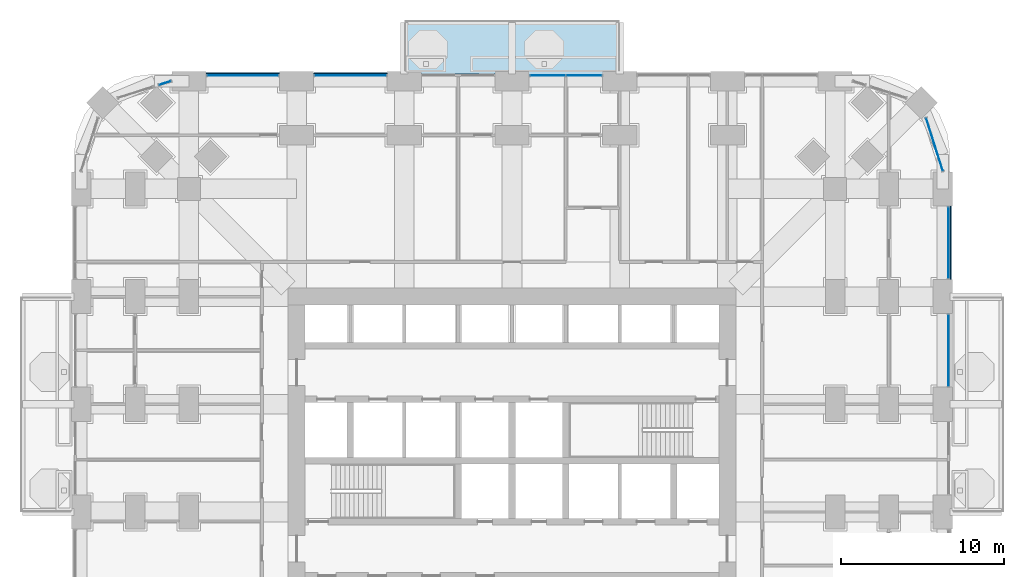
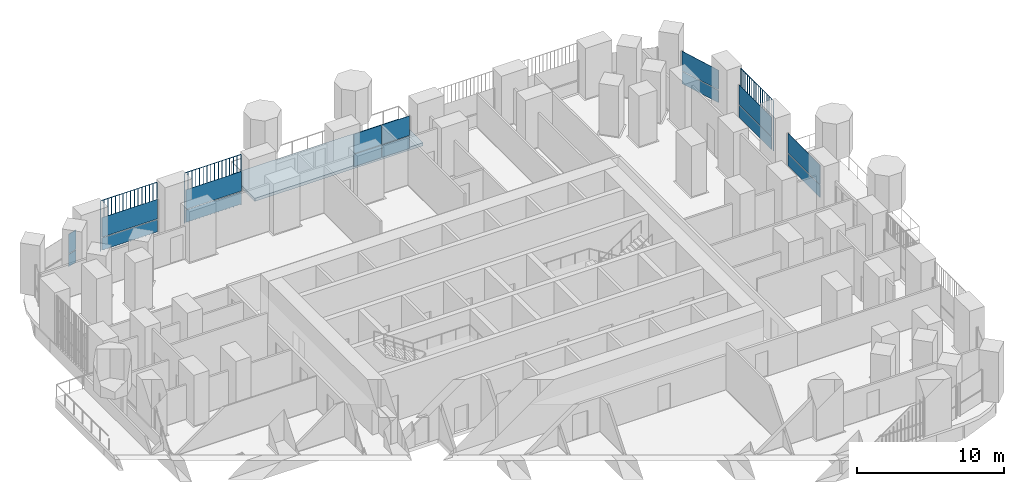
# One storey, part 15 of 26: 19 plates, 1 slab, 7 elements without a shape of their own.
"""IFC4 building model written with IfcOpenShell, lengths in metres."""

from ifc_helpers import new_model, si_unit, direction, frame, origin, origin_2d, place, context, subcontext, project, spatial, polyline, rectangle, outline, extrude, material, layer, layer_set, type_object, element, aggregate, save


model = new_model("IFC4")

# Units and contexts
model_context = context("Model", 3, precision=1e-05, world=origin(), true_north=direction((0.0, 1.0)))
body_context = subcontext(model_context, "Body", "Model", "MODEL_VIEW")
ifc_project = project(units=[si_unit("LENGTHUNIT", "METRE"), si_unit("AREAUNIT", "SQUARE_METRE"), si_unit("VOLUMEUNIT", "CUBIC_METRE"), si_unit("PLANEANGLEUNIT", "RADIAN"), si_unit("MASSUNIT", "GRAM", prefix="KILO")], contexts=[model_context])

# Site, building, storey
site_placement = place(None, origin())
site = spatial("IfcSite", under=ifc_project, at=site_placement, CompositionType="ELEMENT")
building_placement = place(site_placement, origin())
building = spatial("IfcBuilding", under=site, at=building_placement, Name="Cobogo Forest Laboratory Tower", CompositionType="ELEMENT")
storey_placement = place(building_placement, frame((0.0, 0.0, 33.89990234375)))
storey = spatial("IfcBuildingStorey", under=building, at=storey_placement, Name="L07", CompositionType="ELEMENT", Elevation=33.89990234375)

# Slab
ifc_material_1 = material(Name="Concrete HA-40 (C40/50)", Category="concrete")
ifc_layer_1 = layer(ifc_material_1, 0.25)
ifc_layer_set_1 = layer_set([ifc_layer_1], Name="Balcony slab 250")
slab_type = type_object("IfcSlabType", Name="Balcony slab 250", PredefinedType="FLOOR", material=ifc_layer_set_1)
slab_placement = place(storey_placement, frame((0.0, 0.0, -0.25)))
element("IfcSlab", 1, at=slab_placement, inside=storey, type_object=slab_type, Name="Balcony BAL-N1 L07", PredefinedType="FLOOR", context=body_context, shape_type="SweptSolid", body=[
    extrude(outline(polyline([(19.800048828125, 46.64990234375), (33.0, 46.64990234375), (33.0, 49.949951171875), (19.800048828125, 49.949951171875), (19.800048828125, 46.64990234375)])), origin(), (0.0, 0.0, 1.0), 0.25),
])

# Curtain wall, plates
ifc_material_2 = material(Name="Aluminium curtain wall", Category="aluminium")
curtain_wall_type = type_object("IfcCurtainWallType", Name="CW-1 unitised curtain wall, clear glazing, laboratory floors zones A and B", PredefinedType="USERDEFINED", material=ifc_material_2)
curtain_wall_1_placement = place(storey_placement, origin())
curtain_wall_1 = element("IfcCurtainWall", 2, at=curtain_wall_1_placement, inside=storey, type_object=curtain_wall_type, Name="Curtain wall 13 L07", ObjectType="UNITISED CURTAIN WALL", PredefinedType="USERDEFINED")
ifc_material_3 = material(Name="Clear insulated glass", Category="glass")
ifc_layer_2 = layer(ifc_material_3, 0.028076171875)
ifc_layer_set_2 = layer_set([ifc_layer_2], Name="GP-1 clear insulated glass unit 28")
plate_type_1 = type_object("IfcPlateType", Name="GP-1 clear insulated glass unit 28", PredefinedType="CURTAIN_PANEL", material=ifc_layer_set_2)
plate_1_placement = place(storey_placement, frame((53.14990234375, 29.699951171875, 0.0), z_axis=(0.0, 0.0, 1.0), x_axis=(0.0, 1.0, 0.0)))
plate_1 = element("IfcPlate", 3, at=plate_1_placement, type_object=plate_type_1, Name="CW-1 panel 1.1", PredefinedType="CURTAIN_PANEL", context=body_context, shape_type="SweptSolid", body=[
    extrude(rectangle(XDim=4.3798828125, YDim=0.028076171875, at=origin_2d()), origin(), (0.0, 0.0, 1.0), 1.02001953125),
])
plate_2_placement = place(storey_placement, frame((53.14990234375, 29.699951171875, 1.080078125), z_axis=(0.0, 0.0, 1.0), x_axis=(0.0, 1.0, 0.0)))
plate_2 = element("IfcPlate", 4, at=plate_2_placement, type_object=plate_type_1, Name="CW-1 panel 1.2", PredefinedType="CURTAIN_PANEL", context=body_context, shape_type="SweptSolid", body=[
    extrude(rectangle(XDim=4.3798828125, YDim=0.028076171875, at=origin_2d()), origin(), (0.0, 0.0, 1.0), 1.6201171875),
])
aggregate(curtain_wall_1, [plate_1, plate_2])

curtain_wall_2_placement = place(storey_placement, origin())
curtain_wall_2 = element("IfcCurtainWall", 5, at=curtain_wall_2_placement, inside=storey, type_object=curtain_wall_type, Name="Curtain wall 14 L07", ObjectType="UNITISED CURTAIN WALL", PredefinedType="USERDEFINED")
plate_3_placement = place(storey_placement, frame((53.14990234375, 36.300048828125, 0.0), z_axis=(0.0, 0.0, 1.0), x_axis=(0.0, 1.0, 0.0)))
plate_3 = element("IfcPlate", 6, at=plate_3_placement, type_object=plate_type_1, Name="CW-1 panel 1.1", PredefinedType="CURTAIN_PANEL", context=body_context, shape_type="SweptSolid", body=[
    extrude(rectangle(XDim=4.3798828125, YDim=0.028076171875, at=origin_2d()), origin(), (0.0, 0.0, 1.0), 1.02001953125),
])
plate_4_placement = place(storey_placement, frame((53.14990234375, 36.300048828125, 1.080078125), z_axis=(0.0, 0.0, 1.0), x_axis=(0.0, 1.0, 0.0)))
plate_4 = element("IfcPlate", 7, at=plate_4_placement, type_object=plate_type_1, Name="CW-1 panel 1.2", PredefinedType="CURTAIN_PANEL", context=body_context, shape_type="SweptSolid", body=[
    extrude(rectangle(XDim=4.3798828125, YDim=0.028076171875, at=origin_2d()), origin(), (0.0, 0.0, 1.0), 1.6201171875),
])
aggregate(curtain_wall_2, [plate_3, plate_4])

curtain_wall_3_placement = place(storey_placement, origin())
curtain_wall_3 = element("IfcCurtainWall", 8, at=curtain_wall_3_placement, inside=storey, type_object=curtain_wall_type, Name="Curtain wall 15 L07", ObjectType="UNITISED CURTAIN WALL", PredefinedType="USERDEFINED")
plate_5_placement = place(storey_placement, frame((52.291015625, 42.320068359375, 0.0), z_axis=(0.0, 0.0, 1.0), x_axis=(-0.30113535792, 0.95358140513, 0.0)))
plate_5 = element("IfcPlate", 9, at=plate_5_placement, type_object=plate_type_1, Name="CW-1 panel 1.1", PredefinedType="CURTAIN_PANEL", context=body_context, shape_type="SweptSolid", body=[
    extrude(rectangle(XDim=3.382568359375, YDim=0.028076171875, at=origin_2d()), origin(), (0.0, 0.0, 1.0), 1.02001953125),
])
plate_6_placement = place(storey_placement, frame((52.291015625, 42.320068359375, 1.080078125), z_axis=(0.0, 0.0, 1.0), x_axis=(-0.30113535792, 0.95358140513, 0.0)))
plate_6 = element("IfcPlate", 10, at=plate_6_placement, type_object=plate_type_1, Name="CW-1 panel 1.2", PredefinedType="CURTAIN_PANEL", context=body_context, shape_type="SweptSolid", body=[
    extrude(rectangle(XDim=3.382568359375, YDim=0.028076171875, at=origin_2d()), origin(), (0.0, 0.0, 1.0), 1.6201171875),
])
aggregate(curtain_wall_3, [plate_5, plate_6])

curtain_wall_4_placement = place(storey_placement, origin())
curtain_wall_4 = element("IfcCurtainWall", 11, at=curtain_wall_4_placement, inside=storey, type_object=curtain_wall_type, Name="Curtain wall 20 L07", ObjectType="UNITISED CURTAIN WALL", PredefinedType="USERDEFINED")
plate_7_placement = place(storey_placement, frame((30.81005859375, 46.550048828125, 0.0), z_axis=(0.0, 0.0, 1.0), x_axis=(-1.0, 0.0, 0.0)))
plate_7 = element("IfcPlate", 12, at=plate_7_placement, type_object=plate_type_1, Name="CW-1 panel 1.1", PredefinedType="CURTAIN_PANEL", context=body_context, shape_type="SweptSolid", body=[
    extrude(rectangle(XDim=2.159912109375, YDim=0.028076171875, at=origin_2d()), origin(), (0.0, 0.0, 1.0), 1.02001953125),
])
plate_8_placement = place(storey_placement, frame((30.81005859375, 46.550048828125, 1.080078125), z_axis=(0.0, 0.0, 1.0), x_axis=(-1.0, 0.0, 0.0)))
plate_8 = element("IfcPlate", 13, at=plate_8_placement, type_object=plate_type_1, Name="CW-1 panel 1.2", PredefinedType="CURTAIN_PANEL", context=body_context, shape_type="SweptSolid", body=[
    extrude(rectangle(XDim=2.159912109375, YDim=0.028076171875, at=origin_2d()), origin(), (0.0, 0.0, 1.0), 1.6201171875),
])
plate_9_placement = place(storey_placement, frame((28.590087890625, 46.550048828125, 0.0), z_axis=(0.0, 0.0, 1.0), x_axis=(-1.0, 0.0, 0.0)))
plate_9 = element("IfcPlate", 14, at=plate_9_placement, type_object=plate_type_1, Name="CW-1 panel 2.1", PredefinedType="CURTAIN_PANEL", context=body_context, shape_type="SweptSolid", body=[
    extrude(rectangle(XDim=2.159912109375, YDim=0.028076171875, at=origin_2d()), origin(), (0.0, 0.0, 1.0), 1.02001953125),
])
plate_10_placement = place(storey_placement, frame((28.590087890625, 46.550048828125, 1.080078125), z_axis=(0.0, 0.0, 1.0), x_axis=(-1.0, 0.0, 0.0)))
plate_10 = element("IfcPlate", 15, at=plate_10_placement, type_object=plate_type_1, Name="CW-1 panel 2.2", PredefinedType="CURTAIN_PANEL", context=body_context, shape_type="SweptSolid", body=[
    extrude(rectangle(XDim=2.159912109375, YDim=0.028076171875, at=origin_2d()), origin(), (0.0, 0.0, 1.0), 1.6201171875),
])
aggregate(curtain_wall_4, [plate_7, plate_8, plate_9, plate_10])

curtain_wall_5_placement = place(storey_placement, origin())
curtain_wall_5 = element("IfcCurtainWall", 16, at=curtain_wall_5_placement, inside=storey, type_object=curtain_wall_type, Name="Curtain wall 22 L07", ObjectType="UNITISED CURTAIN WALL", PredefinedType="USERDEFINED")
plate_11_placement = place(storey_placement, frame((16.5, 46.550048828125, 0.0), z_axis=(0.0, 0.0, 1.0), x_axis=(-1.0, 0.0, 0.0)))
plate_11 = element("IfcPlate", 17, at=plate_11_placement, type_object=plate_type_1, Name="CW-1 panel 1.1", PredefinedType="CURTAIN_PANEL", context=body_context, shape_type="SweptSolid", body=[
    extrude(rectangle(XDim=4.3798828125, YDim=0.028076171875, at=origin_2d()), origin(), (0.0, 0.0, 1.0), 1.02001953125),
])
plate_12_placement = place(storey_placement, frame((16.5, 46.550048828125, 1.080078125), z_axis=(0.0, 0.0, 1.0), x_axis=(-1.0, 0.0, 0.0)))
plate_12 = element("IfcPlate", 18, at=plate_12_placement, type_object=plate_type_1, Name="CW-1 panel 1.2", PredefinedType="CURTAIN_PANEL", context=body_context, shape_type="SweptSolid", body=[
    extrude(rectangle(XDim=4.3798828125, YDim=0.028076171875, at=origin_2d()), origin(), (0.0, 0.0, 1.0), 1.6201171875),
])
aggregate(curtain_wall_5, [plate_11, plate_12])

curtain_wall_6_placement = place(storey_placement, origin())
curtain_wall_6 = element("IfcCurtainWall", 19, at=curtain_wall_6_placement, inside=storey, type_object=curtain_wall_type, Name="Curtain wall 23 L07", ObjectType="UNITISED CURTAIN WALL", PredefinedType="USERDEFINED")
plate_13_placement = place(storey_placement, frame((9.89990234375, 46.550048828125, 0.0), z_axis=(0.0, 0.0, 1.0), x_axis=(-1.0, 0.0, 0.0)))
plate_13 = element("IfcPlate", 20, at=plate_13_placement, type_object=plate_type_1, Name="CW-1 panel 1.1", PredefinedType="CURTAIN_PANEL", context=body_context, shape_type="SweptSolid", body=[
    extrude(rectangle(XDim=4.3798828125, YDim=0.028076171875, at=origin_2d()), origin(), (0.0, 0.0, 1.0), 1.02001953125),
])
plate_14_placement = place(storey_placement, frame((9.89990234375, 46.550048828125, 1.080078125), z_axis=(0.0, 0.0, 1.0), x_axis=(-1.0, 0.0, 0.0)))
plate_14 = element("IfcPlate", 21, at=plate_14_placement, type_object=plate_type_1, Name="CW-1 panel 1.2", PredefinedType="CURTAIN_PANEL", context=body_context, shape_type="SweptSolid", body=[
    extrude(rectangle(XDim=4.3798828125, YDim=0.028076171875, at=origin_2d()), origin(), (0.0, 0.0, 1.0), 1.6201171875),
])
aggregate(curtain_wall_6, [plate_13, plate_14])

curtain_wall_7_placement = place(storey_placement, origin())
curtain_wall_7 = element("IfcCurtainWall", 22, at=curtain_wall_7_placement, inside=storey, type_object=curtain_wall_type, Name="Curtain wall 24 L07", ObjectType="UNITISED CURTAIN WALL", PredefinedType="USERDEFINED")
plate_15_placement = place(storey_placement, frame((5.134033203125, 46.087158203125, 0.0), z_axis=(0.0, 0.0, 1.0), x_axis=(-0.953581504428, -0.301135043481, 0.0)))
plate_15 = element("IfcPlate", 23, at=plate_15_placement, type_object=plate_type_1, Name="CW-1 panel 1.1", PredefinedType="CURTAIN_PANEL", context=body_context, shape_type="SweptSolid", body=[
    extrude(rectangle(XDim=0.75244140625, YDim=0.028076171875, at=origin_2d()), origin(), (0.0, 0.0, 1.0), 1.02001953125),
])
plate_16_placement = place(storey_placement, frame((5.134033203125, 46.087158203125, 1.080078125), z_axis=(0.0, 0.0, 1.0), x_axis=(-0.953581504428, -0.301135043481, 0.0)))
plate_16 = element("IfcPlate", 24, at=plate_16_placement, type_object=plate_type_1, Name="CW-1 panel 1.2", PredefinedType="CURTAIN_PANEL", context=body_context, shape_type="SweptSolid", body=[
    extrude(rectangle(XDim=0.75244140625, YDim=0.028076171875, at=origin_2d()), origin(), (0.0, 0.0, 1.0), 1.6201171875),
])
aggregate(curtain_wall_7, [plate_15, plate_16])

# Plates
ifc_material_4 = material(Name="Terracotta", Category="masonry")
plate_type_2 = type_object("IfcPlateType", Name="TB1 terracotta baguette screen", PredefinedType="USERDEFINED", material=ifc_material_4)
plate_17_placement = place(storey_placement, frame((53.27783203125, 34.081298828125, -0.14990234375)))
element("IfcPlate", 25, at=plate_17_placement, inside=storey, type_object=plate_type_2, Name="Baguette screen E5 L07", ObjectType="BAGUETTE SCREEN", PredefinedType="USERDEFINED", context=body_context, shape_type="SweptSolid", body=[
    extrude(outline(polyline([(0.02880859375, 0.011962890625), (0.011962890625, 0.02880859375), (-0.011962890625, 0.02880859375), (-0.02880859375, 0.011962890625), (-0.02880859375, -0.011962890625), (-0.011962890625, -0.02880859375), (0.011962890625, -0.02880859375), (0.02880859375, -0.011962890625), (0.02880859375, 0.011962890625)])), frame((0.0, 0.0, 4.168701171875), z_axis=(0.0, 1.0, 0.0), x_axis=(-1.0, 0.0, 0.0)), (0.0, 0.0, 1.0), 4.4375),
    extrude(outline(polyline([(0.02880859375, 0.011962890625), (0.011962890625, 0.02880859375), (-0.011962890625, 0.02880859375), (-0.02880859375, 0.011962890625), (-0.02880859375, -0.011962890625), (-0.011962890625, -0.02880859375), (0.011962890625, -0.02880859375), (0.02880859375, -0.011962890625), (0.02880859375, 0.011962890625)])), origin(), (0.0, 0.0, 1.0), 4.137451171875),
    extrude(outline(polyline([(0.02880859375, 0.011962890625), (0.011962890625, 0.02880859375), (-0.011962890625, 0.02880859375), (-0.02880859375, 0.011962890625), (-0.02880859375, -0.011962890625), (-0.011962890625, -0.02880859375), (0.011962890625, -0.02880859375), (0.02880859375, -0.011962890625), (0.02880859375, 0.011962890625)])), frame((0.0, 0.2958984375, 0.0)), (0.0, 0.0, 1.0), 4.137451171875),
    extrude(outline(polyline([(0.02880859375, 0.011962890625), (0.011962890625, 0.02880859375), (-0.011962890625, 0.02880859375), (-0.02880859375, 0.011962890625), (-0.02880859375, -0.011962890625), (-0.011962890625, -0.02880859375), (0.011962890625, -0.02880859375), (0.02880859375, -0.011962890625), (0.02880859375, 0.011962890625)])), frame((0.0, 0.591552734375, 0.0)), (0.0, 0.0, 1.0), 4.137451171875),
    extrude(outline(polyline([(0.02880859375, 0.011962890625), (0.011962890625, 0.02880859375), (-0.011962890625, 0.02880859375), (-0.02880859375, 0.011962890625), (-0.02880859375, -0.011962890625), (-0.011962890625, -0.02880859375), (0.011962890625, -0.02880859375), (0.02880859375, -0.011962890625), (0.02880859375, 0.011962890625)])), frame((0.0, 0.887451171875, 0.0)), (0.0, 0.0, 1.0), 4.137451171875),
    extrude(outline(polyline([(0.02880859375, 0.011962890625), (0.011962890625, 0.02880859375), (-0.011962890625, 0.02880859375), (-0.02880859375, 0.011962890625), (-0.02880859375, -0.011962890625), (-0.011962890625, -0.02880859375), (0.011962890625, -0.02880859375), (0.02880859375, -0.011962890625), (0.02880859375, 0.011962890625)])), frame((0.0, 1.183349609375, 0.0)), (0.0, 0.0, 1.0), 4.137451171875),
    extrude(outline(polyline([(0.02880859375, 0.011962890625), (0.011962890625, 0.02880859375), (-0.011962890625, 0.02880859375), (-0.02880859375, 0.011962890625), (-0.02880859375, -0.011962890625), (-0.011962890625, -0.02880859375), (0.011962890625, -0.02880859375), (0.02880859375, -0.011962890625), (0.02880859375, 0.011962890625)])), frame((0.0, 1.479248046875, 0.0)), (0.0, 0.0, 1.0), 4.137451171875),
    extrude(outline(polyline([(0.02880859375, 0.011962890625), (0.011962890625, 0.02880859375), (-0.011962890625, 0.02880859375), (-0.02880859375, 0.011962890625), (-0.02880859375, -0.011962890625), (-0.011962890625, -0.02880859375), (0.011962890625, -0.02880859375), (0.02880859375, -0.011962890625), (0.02880859375, 0.011962890625)])), frame((0.0, 1.77490234375, 0.0)), (0.0, 0.0, 1.0), 4.137451171875),
    extrude(outline(polyline([(0.02880859375, 0.011962890625), (0.011962890625, 0.02880859375), (-0.011962890625, 0.02880859375), (-0.02880859375, 0.011962890625), (-0.02880859375, -0.011962890625), (-0.011962890625, -0.02880859375), (0.011962890625, -0.02880859375), (0.02880859375, -0.011962890625), (0.02880859375, 0.011962890625)])), frame((0.0, 2.07080078125, 0.0)), (0.0, 0.0, 1.0), 4.137451171875),
    extrude(outline(polyline([(0.02880859375, 0.011962890625), (0.011962890625, 0.02880859375), (-0.011962890625, 0.02880859375), (-0.02880859375, 0.011962890625), (-0.02880859375, -0.011962890625), (-0.011962890625, -0.02880859375), (0.011962890625, -0.02880859375), (0.02880859375, -0.011962890625), (0.02880859375, 0.011962890625)])), frame((0.0, 2.36669921875, 0.0)), (0.0, 0.0, 1.0), 4.137451171875),
    extrude(outline(polyline([(0.02880859375, 0.011962890625), (0.011962890625, 0.02880859375), (-0.011962890625, 0.02880859375), (-0.02880859375, 0.011962890625), (-0.02880859375, -0.011962890625), (-0.011962890625, -0.02880859375), (0.011962890625, -0.02880859375), (0.02880859375, -0.011962890625), (0.02880859375, 0.011962890625)])), frame((0.0, 2.66259765625, 0.0)), (0.0, 0.0, 1.0), 4.137451171875),
    extrude(outline(polyline([(0.02880859375, 0.011962890625), (0.011962890625, 0.02880859375), (-0.011962890625, 0.02880859375), (-0.02880859375, 0.011962890625), (-0.02880859375, -0.011962890625), (-0.011962890625, -0.02880859375), (0.011962890625, -0.02880859375), (0.02880859375, -0.011962890625), (0.02880859375, 0.011962890625)])), frame((0.0, 2.958251953125, 0.0)), (0.0, 0.0, 1.0), 4.137451171875),
    extrude(outline(polyline([(0.02880859375, 0.011962890625), (0.011962890625, 0.02880859375), (-0.011962890625, 0.02880859375), (-0.02880859375, 0.011962890625), (-0.02880859375, -0.011962890625), (-0.011962890625, -0.02880859375), (0.011962890625, -0.02880859375), (0.02880859375, -0.011962890625), (0.02880859375, 0.011962890625)])), frame((0.0, 3.254150390625, 0.0)), (0.0, 0.0, 1.0), 4.137451171875),
    extrude(outline(polyline([(0.02880859375, 0.011962890625), (0.011962890625, 0.02880859375), (-0.011962890625, 0.02880859375), (-0.02880859375, 0.011962890625), (-0.02880859375, -0.011962890625), (-0.011962890625, -0.02880859375), (0.011962890625, -0.02880859375), (0.02880859375, -0.011962890625), (0.02880859375, 0.011962890625)])), frame((0.0, 3.550048828125, 0.0)), (0.0, 0.0, 1.0), 4.137451171875),
    extrude(outline(polyline([(0.02880859375, 0.011962890625), (0.011962890625, 0.02880859375), (-0.011962890625, 0.02880859375), (-0.02880859375, 0.011962890625), (-0.02880859375, -0.011962890625), (-0.011962890625, -0.02880859375), (0.011962890625, -0.02880859375), (0.02880859375, -0.011962890625), (0.02880859375, 0.011962890625)])), frame((0.0, 3.845947265625, 0.0)), (0.0, 0.0, 1.0), 4.137451171875),
    extrude(outline(polyline([(0.02880859375, 0.011962890625), (0.011962890625, 0.02880859375), (-0.011962890625, 0.02880859375), (-0.02880859375, 0.011962890625), (-0.02880859375, -0.011962890625), (-0.011962890625, -0.02880859375), (0.011962890625, -0.02880859375), (0.02880859375, -0.011962890625), (0.02880859375, 0.011962890625)])), frame((0.0, 4.1416015625, 0.0)), (0.0, 0.0, 1.0), 4.137451171875),
    extrude(outline(polyline([(0.02880859375, 0.011962890625), (0.011962890625, 0.02880859375), (-0.011962890625, 0.02880859375), (-0.02880859375, 0.011962890625), (-0.02880859375, -0.011962890625), (-0.011962890625, -0.02880859375), (0.011962890625, -0.02880859375), (0.02880859375, -0.011962890625), (0.02880859375, 0.011962890625)])), frame((0.0, 4.4375, 0.0)), (0.0, 0.0, 1.0), 4.137451171875),
])
plate_18_placement = place(storey_placement, frame((7.68115234375, 46.677978515625, -0.14990234375)))
element("IfcPlate", 26, at=plate_18_placement, inside=storey, type_object=plate_type_2, Name="Baguette screen N1 L07", ObjectType="BAGUETTE SCREEN", PredefinedType="USERDEFINED", context=body_context, shape_type="SweptSolid", body=[
    extrude(outline(polyline([(0.02880859375, 0.011962890625), (0.011962890625, 0.02880859375), (-0.011962890625, 0.02880859375), (-0.02880859375, 0.011962890625), (-0.02880859375, -0.011962890625), (-0.011962890625, -0.02880859375), (0.011962890625, -0.02880859375), (0.02880859375, -0.011962890625), (0.02880859375, 0.011962890625)])), frame((0.0, 0.0, 4.168701171875), z_axis=(1.0, 0.0, 0.0), x_axis=(0.0, 1.0, 0.0)), (0.0, 0.0, 1.0), 4.4375),
    extrude(outline(polyline([(0.02880859375, 0.011962890625), (0.011962890625, 0.02880859375), (-0.011962890625, 0.02880859375), (-0.02880859375, 0.011962890625), (-0.02880859375, -0.011962890625), (-0.011962890625, -0.02880859375), (0.011962890625, -0.02880859375), (0.02880859375, -0.011962890625), (0.02880859375, 0.011962890625)])), origin(), (0.0, 0.0, 1.0), 4.137451171875),
    extrude(outline(polyline([(0.02880859375, 0.011962890625), (0.011962890625, 0.02880859375), (-0.011962890625, 0.02880859375), (-0.02880859375, 0.011962890625), (-0.02880859375, -0.011962890625), (-0.011962890625, -0.02880859375), (0.011962890625, -0.02880859375), (0.02880859375, -0.011962890625), (0.02880859375, 0.011962890625)])), frame((0.2958984375, 0.0, 0.0)), (0.0, 0.0, 1.0), 4.137451171875),
    extrude(outline(polyline([(0.02880859375, 0.011962890625), (0.011962890625, 0.02880859375), (-0.011962890625, 0.02880859375), (-0.02880859375, 0.011962890625), (-0.02880859375, -0.011962890625), (-0.011962890625, -0.02880859375), (0.011962890625, -0.02880859375), (0.02880859375, -0.011962890625), (0.02880859375, 0.011962890625)])), frame((0.591552734375, 0.0, 0.0)), (0.0, 0.0, 1.0), 4.137451171875),
    extrude(outline(polyline([(0.02880859375, 0.011962890625), (0.011962890625, 0.02880859375), (-0.011962890625, 0.02880859375), (-0.02880859375, 0.011962890625), (-0.02880859375, -0.011962890625), (-0.011962890625, -0.02880859375), (0.011962890625, -0.02880859375), (0.02880859375, -0.011962890625), (0.02880859375, 0.011962890625)])), frame((0.887451171875, 0.0, 0.0)), (0.0, 0.0, 1.0), 4.137451171875),
    extrude(outline(polyline([(0.02880859375, 0.011962890625), (0.011962890625, 0.02880859375), (-0.011962890625, 0.02880859375), (-0.02880859375, 0.011962890625), (-0.02880859375, -0.011962890625), (-0.011962890625, -0.02880859375), (0.011962890625, -0.02880859375), (0.02880859375, -0.011962890625), (0.02880859375, 0.011962890625)])), frame((1.183349609375, 0.0, 0.0)), (0.0, 0.0, 1.0), 4.137451171875),
    extrude(outline(polyline([(0.02880859375, 0.011962890625), (0.011962890625, 0.02880859375), (-0.011962890625, 0.02880859375), (-0.02880859375, 0.011962890625), (-0.02880859375, -0.011962890625), (-0.011962890625, -0.02880859375), (0.011962890625, -0.02880859375), (0.02880859375, -0.011962890625), (0.02880859375, 0.011962890625)])), frame((1.479248046875, 0.0, 0.0)), (0.0, 0.0, 1.0), 4.137451171875),
    extrude(outline(polyline([(0.02880859375, 0.011962890625), (0.011962890625, 0.02880859375), (-0.011962890625, 0.02880859375), (-0.02880859375, 0.011962890625), (-0.02880859375, -0.011962890625), (-0.011962890625, -0.02880859375), (0.011962890625, -0.02880859375), (0.02880859375, -0.011962890625), (0.02880859375, 0.011962890625)])), frame((1.77490234375, 0.0, 0.0)), (0.0, 0.0, 1.0), 4.137451171875),
    extrude(outline(polyline([(0.02880859375, 0.011962890625), (0.011962890625, 0.02880859375), (-0.011962890625, 0.02880859375), (-0.02880859375, 0.011962890625), (-0.02880859375, -0.011962890625), (-0.011962890625, -0.02880859375), (0.011962890625, -0.02880859375), (0.02880859375, -0.011962890625), (0.02880859375, 0.011962890625)])), frame((2.07080078125, 0.0, 0.0)), (0.0, 0.0, 1.0), 4.137451171875),
    extrude(outline(polyline([(0.02880859375, 0.011962890625), (0.011962890625, 0.02880859375), (-0.011962890625, 0.02880859375), (-0.02880859375, 0.011962890625), (-0.02880859375, -0.011962890625), (-0.011962890625, -0.02880859375), (0.011962890625, -0.02880859375), (0.02880859375, -0.011962890625), (0.02880859375, 0.011962890625)])), frame((2.36669921875, 0.0, 0.0)), (0.0, 0.0, 1.0), 4.137451171875),
    extrude(outline(polyline([(0.02880859375, 0.011962890625), (0.011962890625, 0.02880859375), (-0.011962890625, 0.02880859375), (-0.02880859375, 0.011962890625), (-0.02880859375, -0.011962890625), (-0.011962890625, -0.02880859375), (0.011962890625, -0.02880859375), (0.02880859375, -0.011962890625), (0.02880859375, 0.011962890625)])), frame((2.66259765625, 0.0, 0.0)), (0.0, 0.0, 1.0), 4.137451171875),
    extrude(outline(polyline([(0.02880859375, 0.011962890625), (0.011962890625, 0.02880859375), (-0.011962890625, 0.02880859375), (-0.02880859375, 0.011962890625), (-0.02880859375, -0.011962890625), (-0.011962890625, -0.02880859375), (0.011962890625, -0.02880859375), (0.02880859375, -0.011962890625), (0.02880859375, 0.011962890625)])), frame((2.958251953125, 0.0, 0.0)), (0.0, 0.0, 1.0), 4.137451171875),
    extrude(outline(polyline([(0.02880859375, 0.011962890625), (0.011962890625, 0.02880859375), (-0.011962890625, 0.02880859375), (-0.02880859375, 0.011962890625), (-0.02880859375, -0.011962890625), (-0.011962890625, -0.02880859375), (0.011962890625, -0.02880859375), (0.02880859375, -0.011962890625), (0.02880859375, 0.011962890625)])), frame((3.254150390625, 0.0, 0.0)), (0.0, 0.0, 1.0), 4.137451171875),
    extrude(outline(polyline([(0.02880859375, 0.011962890625), (0.011962890625, 0.02880859375), (-0.011962890625, 0.02880859375), (-0.02880859375, 0.011962890625), (-0.02880859375, -0.011962890625), (-0.011962890625, -0.02880859375), (0.011962890625, -0.02880859375), (0.02880859375, -0.011962890625), (0.02880859375, 0.011962890625)])), frame((3.550048828125, 0.0, 0.0)), (0.0, 0.0, 1.0), 4.137451171875),
    extrude(outline(polyline([(0.02880859375, 0.011962890625), (0.011962890625, 0.02880859375), (-0.011962890625, 0.02880859375), (-0.02880859375, 0.011962890625), (-0.02880859375, -0.011962890625), (-0.011962890625, -0.02880859375), (0.011962890625, -0.02880859375), (0.02880859375, -0.011962890625), (0.02880859375, 0.011962890625)])), frame((3.845947265625, 0.0, 0.0)), (0.0, 0.0, 1.0), 4.137451171875),
    extrude(outline(polyline([(0.02880859375, 0.011962890625), (0.011962890625, 0.02880859375), (-0.011962890625, 0.02880859375), (-0.02880859375, 0.011962890625), (-0.02880859375, -0.011962890625), (-0.011962890625, -0.02880859375), (0.011962890625, -0.02880859375), (0.02880859375, -0.011962890625), (0.02880859375, 0.011962890625)])), frame((4.1416015625, 0.0, 0.0)), (0.0, 0.0, 1.0), 4.137451171875),
    extrude(outline(polyline([(0.02880859375, 0.011962890625), (0.011962890625, 0.02880859375), (-0.011962890625, 0.02880859375), (-0.02880859375, 0.011962890625), (-0.02880859375, -0.011962890625), (-0.011962890625, -0.02880859375), (0.011962890625, -0.02880859375), (0.02880859375, -0.011962890625), (0.02880859375, 0.011962890625)])), frame((4.4375, 0.0, 0.0)), (0.0, 0.0, 1.0), 4.137451171875),
])
plate_19_placement = place(storey_placement, frame((14.28125, 46.677978515625, -0.14990234375)))
element("IfcPlate", 27, at=plate_19_placement, inside=storey, type_object=plate_type_2, Name="Baguette screen N2 L07", ObjectType="BAGUETTE SCREEN", PredefinedType="USERDEFINED", context=body_context, shape_type="SweptSolid", body=[
    extrude(outline(polyline([(0.02880859375, 0.011962890625), (0.011962890625, 0.02880859375), (-0.011962890625, 0.02880859375), (-0.02880859375, 0.011962890625), (-0.02880859375, -0.011962890625), (-0.011962890625, -0.02880859375), (0.011962890625, -0.02880859375), (0.02880859375, -0.011962890625), (0.02880859375, 0.011962890625)])), frame((0.0, 0.0, 4.168701171875), z_axis=(1.0, 0.0, 0.0), x_axis=(0.0, 1.0, 0.0)), (0.0, 0.0, 1.0), 4.4375),
    extrude(outline(polyline([(0.02880859375, 0.011962890625), (0.011962890625, 0.02880859375), (-0.011962890625, 0.02880859375), (-0.02880859375, 0.011962890625), (-0.02880859375, -0.011962890625), (-0.011962890625, -0.02880859375), (0.011962890625, -0.02880859375), (0.02880859375, -0.011962890625), (0.02880859375, 0.011962890625)])), origin(), (0.0, 0.0, 1.0), 4.137451171875),
    extrude(outline(polyline([(0.02880859375, 0.011962890625), (0.011962890625, 0.02880859375), (-0.011962890625, 0.02880859375), (-0.02880859375, 0.011962890625), (-0.02880859375, -0.011962890625), (-0.011962890625, -0.02880859375), (0.011962890625, -0.02880859375), (0.02880859375, -0.011962890625), (0.02880859375, 0.011962890625)])), frame((0.2958984375, 0.0, 0.0)), (0.0, 0.0, 1.0), 4.137451171875),
    extrude(outline(polyline([(0.02880859375, 0.011962890625), (0.011962890625, 0.02880859375), (-0.011962890625, 0.02880859375), (-0.02880859375, 0.011962890625), (-0.02880859375, -0.011962890625), (-0.011962890625, -0.02880859375), (0.011962890625, -0.02880859375), (0.02880859375, -0.011962890625), (0.02880859375, 0.011962890625)])), frame((0.591552734375, 0.0, 0.0)), (0.0, 0.0, 1.0), 4.137451171875),
    extrude(outline(polyline([(0.02880859375, 0.011962890625), (0.011962890625, 0.02880859375), (-0.011962890625, 0.02880859375), (-0.02880859375, 0.011962890625), (-0.02880859375, -0.011962890625), (-0.011962890625, -0.02880859375), (0.011962890625, -0.02880859375), (0.02880859375, -0.011962890625), (0.02880859375, 0.011962890625)])), frame((0.887451171875, 0.0, 0.0)), (0.0, 0.0, 1.0), 4.137451171875),
    extrude(outline(polyline([(0.02880859375, 0.011962890625), (0.011962890625, 0.02880859375), (-0.011962890625, 0.02880859375), (-0.02880859375, 0.011962890625), (-0.02880859375, -0.011962890625), (-0.011962890625, -0.02880859375), (0.011962890625, -0.02880859375), (0.02880859375, -0.011962890625), (0.02880859375, 0.011962890625)])), frame((1.183349609375, 0.0, 0.0)), (0.0, 0.0, 1.0), 4.137451171875),
    extrude(outline(polyline([(0.02880859375, 0.011962890625), (0.011962890625, 0.02880859375), (-0.011962890625, 0.02880859375), (-0.02880859375, 0.011962890625), (-0.02880859375, -0.011962890625), (-0.011962890625, -0.02880859375), (0.011962890625, -0.02880859375), (0.02880859375, -0.011962890625), (0.02880859375, 0.011962890625)])), frame((1.479248046875, 0.0, 0.0)), (0.0, 0.0, 1.0), 4.137451171875),
    extrude(outline(polyline([(0.02880859375, 0.011962890625), (0.011962890625, 0.02880859375), (-0.011962890625, 0.02880859375), (-0.02880859375, 0.011962890625), (-0.02880859375, -0.011962890625), (-0.011962890625, -0.02880859375), (0.011962890625, -0.02880859375), (0.02880859375, -0.011962890625), (0.02880859375, 0.011962890625)])), frame((1.77490234375, 0.0, 0.0)), (0.0, 0.0, 1.0), 4.137451171875),
    extrude(outline(polyline([(0.02880859375, 0.011962890625), (0.011962890625, 0.02880859375), (-0.011962890625, 0.02880859375), (-0.02880859375, 0.011962890625), (-0.02880859375, -0.011962890625), (-0.011962890625, -0.02880859375), (0.011962890625, -0.02880859375), (0.02880859375, -0.011962890625), (0.02880859375, 0.011962890625)])), frame((2.07080078125, 0.0, 0.0)), (0.0, 0.0, 1.0), 4.137451171875),
    extrude(outline(polyline([(0.02880859375, 0.011962890625), (0.011962890625, 0.02880859375), (-0.011962890625, 0.02880859375), (-0.02880859375, 0.011962890625), (-0.02880859375, -0.011962890625), (-0.011962890625, -0.02880859375), (0.011962890625, -0.02880859375), (0.02880859375, -0.011962890625), (0.02880859375, 0.011962890625)])), frame((2.36669921875, 0.0, 0.0)), (0.0, 0.0, 1.0), 4.137451171875),
    extrude(outline(polyline([(0.02880859375, 0.011962890625), (0.011962890625, 0.02880859375), (-0.011962890625, 0.02880859375), (-0.02880859375, 0.011962890625), (-0.02880859375, -0.011962890625), (-0.011962890625, -0.02880859375), (0.011962890625, -0.02880859375), (0.02880859375, -0.011962890625), (0.02880859375, 0.011962890625)])), frame((2.66259765625, 0.0, 0.0)), (0.0, 0.0, 1.0), 4.137451171875),
    extrude(outline(polyline([(0.02880859375, 0.011962890625), (0.011962890625, 0.02880859375), (-0.011962890625, 0.02880859375), (-0.02880859375, 0.011962890625), (-0.02880859375, -0.011962890625), (-0.011962890625, -0.02880859375), (0.011962890625, -0.02880859375), (0.02880859375, -0.011962890625), (0.02880859375, 0.011962890625)])), frame((2.958251953125, 0.0, 0.0)), (0.0, 0.0, 1.0), 4.137451171875),
    extrude(outline(polyline([(0.02880859375, 0.011962890625), (0.011962890625, 0.02880859375), (-0.011962890625, 0.02880859375), (-0.02880859375, 0.011962890625), (-0.02880859375, -0.011962890625), (-0.011962890625, -0.02880859375), (0.011962890625, -0.02880859375), (0.02880859375, -0.011962890625), (0.02880859375, 0.011962890625)])), frame((3.254150390625, 0.0, 0.0)), (0.0, 0.0, 1.0), 4.137451171875),
    extrude(outline(polyline([(0.02880859375, 0.011962890625), (0.011962890625, 0.02880859375), (-0.011962890625, 0.02880859375), (-0.02880859375, 0.011962890625), (-0.02880859375, -0.011962890625), (-0.011962890625, -0.02880859375), (0.011962890625, -0.02880859375), (0.02880859375, -0.011962890625), (0.02880859375, 0.011962890625)])), frame((3.550048828125, 0.0, 0.0)), (0.0, 0.0, 1.0), 4.137451171875),
    extrude(outline(polyline([(0.02880859375, 0.011962890625), (0.011962890625, 0.02880859375), (-0.011962890625, 0.02880859375), (-0.02880859375, 0.011962890625), (-0.02880859375, -0.011962890625), (-0.011962890625, -0.02880859375), (0.011962890625, -0.02880859375), (0.02880859375, -0.011962890625), (0.02880859375, 0.011962890625)])), frame((3.845947265625, 0.0, 0.0)), (0.0, 0.0, 1.0), 4.137451171875),
    extrude(outline(polyline([(0.02880859375, 0.011962890625), (0.011962890625, 0.02880859375), (-0.011962890625, 0.02880859375), (-0.02880859375, 0.011962890625), (-0.02880859375, -0.011962890625), (-0.011962890625, -0.02880859375), (0.011962890625, -0.02880859375), (0.02880859375, -0.011962890625), (0.02880859375, 0.011962890625)])), frame((4.1416015625, 0.0, 0.0)), (0.0, 0.0, 1.0), 4.137451171875),
    extrude(outline(polyline([(0.02880859375, 0.011962890625), (0.011962890625, 0.02880859375), (-0.011962890625, 0.02880859375), (-0.02880859375, 0.011962890625), (-0.02880859375, -0.011962890625), (-0.011962890625, -0.02880859375), (0.011962890625, -0.02880859375), (0.02880859375, -0.011962890625), (0.02880859375, 0.011962890625)])), frame((4.4375, 0.0, 0.0)), (0.0, 0.0, 1.0), 4.137451171875),
])

save(model, "model.ifc")
